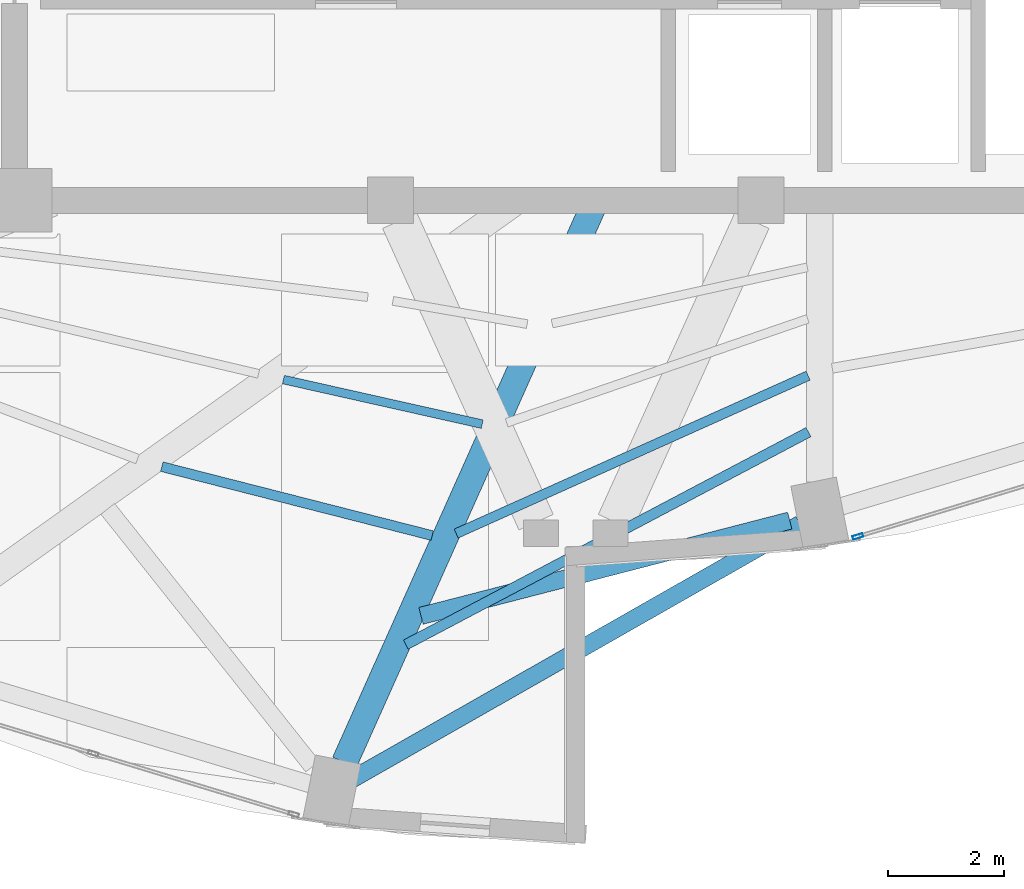
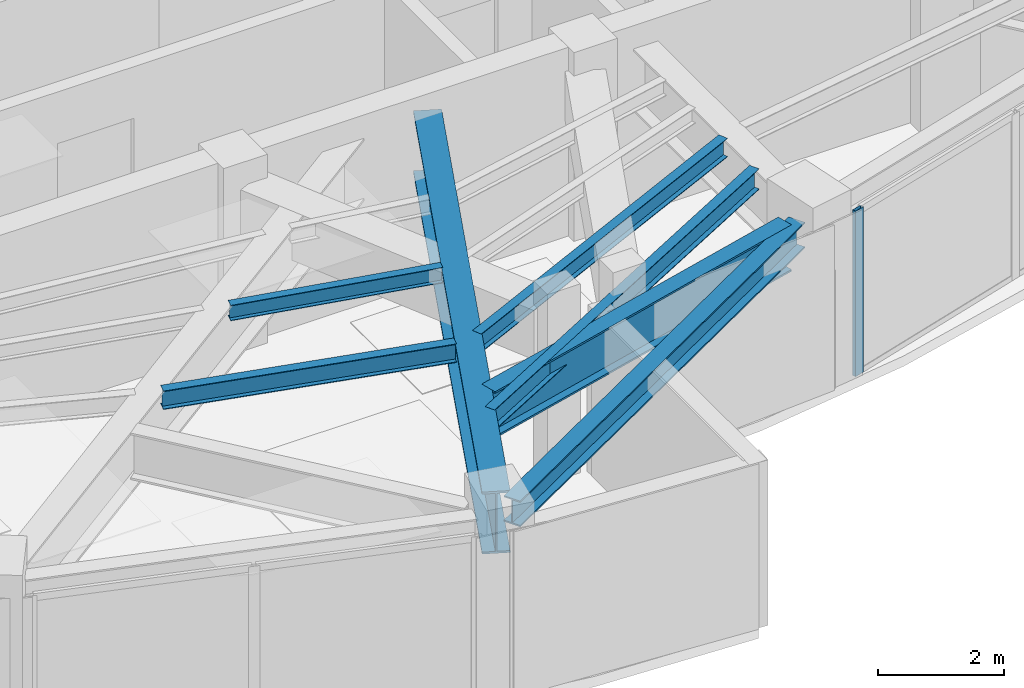
# One storey, part 6 of 23: 7 beams, 1 member, 1 element without a shape of its own.
"""IFC4 building model written with IfcOpenShell, lengths in metres."""

from ifc_helpers import new_model, si_unit, direction, frame, origin, origin_2d, place, context, subcontext, project, spatial, hollow_rectangle, i_section, extrude, material, layer, layer_set, material_profile, profile_set, type_object, element, aggregate, save


model = new_model("IFC4")

# Units and contexts
model_context = context("Model", 3, precision=1e-05, world=origin(), true_north=direction((0.0, 1.0)))
body_context = subcontext(model_context, "Body", "Model", "MODEL_VIEW")
ifc_project = project(units=[si_unit("LENGTHUNIT", "METRE"), si_unit("AREAUNIT", "SQUARE_METRE"), si_unit("VOLUMEUNIT", "CUBIC_METRE"), si_unit("PLANEANGLEUNIT", "RADIAN"), si_unit("MASSUNIT", "GRAM", prefix="KILO")], contexts=[model_context])

# Site, building, storey
site_placement = place(None, origin())
site = spatial("IfcSite", under=ifc_project, at=site_placement, CompositionType="ELEMENT")
building_placement = place(site_placement, origin())
building = spatial("IfcBuilding", under=site, at=building_placement, Name="Lazwardi Medical Tower", CompositionType="ELEMENT")
storey_placement = place(building_placement, frame((0.0, 0.0, 265.968017578125)))
storey = spatial("IfcBuildingStorey", under=building, at=storey_placement, Name="L69", CompositionType="ELEMENT", Elevation=265.968017578125)

# Beams
ifc_material_1 = material(Name="Steel S460", Category="steel")
ifc_material_profile_1 = material_profile(ifc_material_1, i_section(OverallWidth=0.300048828125, OverallDepth=0.89990234375, WebThickness=0.0185546875, FlangeThickness=0.034912109375, at=origin_2d()), Name="HEB 900")
ifc_profile_set_1 = profile_set([ifc_material_profile_1], Name="Steel S460")
beam_type_1 = type_object("IfcBeamType", Name="BM-HB-01", PredefinedType="BEAM", material=ifc_profile_set_1)
beam_1_placement = place(storey_placement, frame((33.32568359375, 13.22216796875, 2.748046875), z_axis=(0.968211548908, 0.250132757873, 0.0), x_axis=(-0.250132757873, 0.968211548908, 0.0)))
element("IfcBeam", 1, at=beam_1_placement, inside=storey, type_object=beam_type_1, Name="Transfer girder tie HB-01 M16 L69", PredefinedType="BEAM", context=body_context, shape_type="SweptSolid", body=[
    extrude(i_section(OverallWidth=0.300048828125, OverallDepth=0.89990234375, WebThickness=0.0185546875, FlangeThickness=0.034912109375, at=origin_2d()), origin(), (0.0, 0.0, 1.0), 6.57958984375),
])
ifc_material_2 = material(Name="Steel S355", Category="steel")
ifc_material_profile_2 = material_profile(ifc_material_2, i_section(OverallWidth=0.300048828125, OverallDepth=0.5, WebThickness=0.014404296875, FlangeThickness=0.028076171875, at=origin_2d()), Name="HEB 500")
ifc_profile_set_2 = profile_set([ifc_material_profile_2], Name="Steel S355")
beam_type_2 = type_object("IfcBeamType", Name="BM-RB-Z4", PredefinedType="BEAM", material=ifc_profile_set_2)
beam_2_placement = place(storey_placement, frame((32.125, 10.394775390625, 2.947998046875), z_axis=(0.868954808466, 0.494891443494, 0.0), x_axis=(-0.494891443494, 0.868954808466, 0.0)))
element("IfcBeam", 2, at=beam_2_placement, inside=storey, type_object=beam_type_2, Name="Ring beam RB-05 B16 L69", PredefinedType="BEAM", context=body_context, shape_type="SweptSolid", body=[
    extrude(i_section(OverallWidth=0.300048828125, OverallDepth=0.5, WebThickness=0.014404296875, FlangeThickness=0.028076171875, at=origin_2d()), origin(), (0.0, 0.0, 1.0), 8.918701171875),
])
ifc_material_profile_3 = material_profile(ifc_material_2, i_section(OverallWidth=0.179931640625, OverallDepth=0.39990234375, WebThickness=0.008544921875, FlangeThickness=0.013427734375, at=origin_2d()), Name="IPE 400")
ifc_profile_set_3 = profile_set([ifc_material_profile_3], Name="Steel S355")
beam_type_3 = type_object("IfcBeamType", Name="BM-SJ-01", PredefinedType="JOIST", material=ifc_profile_set_3)
beam_3_placement = place(storey_placement, frame((33.0634765625, 12.724853515625, 2.998046875), z_axis=(0.884345243209, 0.46683347225, 0.0), x_axis=(-0.46683347225, 0.884345243209, 0.0)))
element("IfcBeam", 3, at=beam_3_placement, inside=storey, type_object=beam_type_3, Name="Secondary joist SJ-01 R1 B16 L69", PredefinedType="JOIST", context=body_context, shape_type="SweptSolid", body=[
    extrude(i_section(OverallWidth=0.179931640625, OverallDepth=0.39990234375, WebThickness=0.008544921875, FlangeThickness=0.013427734375, at=origin_2d()), origin(), (0.0, 0.0, 1.0), 7.865478515625),
])
ifc_material_profile_4 = material_profile(ifc_material_2, i_section(OverallWidth=0.169921875, OverallDepth=0.360107421875, WebThickness=0.008056640625, FlangeThickness=0.0126953125, at=origin_2d()), Name="IPE 360")
ifc_profile_set_4 = profile_set([ifc_material_profile_4], Name="Steel S355")
beam_type_4 = type_object("IfcBeamType", Name="BM-SJ-02", PredefinedType="JOIST", material=ifc_profile_set_4)
beam_4_placement = place(storey_placement, frame((28.847412109375, 15.7998046875, 3.01806640625), z_axis=(0.968997187322, -0.247071752659, 0.0), x_axis=(0.247071752659, 0.968997187322, 0.0)))
element("IfcBeam", 4, at=beam_4_placement, inside=storey, type_object=beam_type_4, Name="Secondary joist SJ-02 R2 B15 L69", PredefinedType="JOIST", context=body_context, shape_type="SweptSolid", body=[
    extrude(i_section(OverallWidth=0.169921875, OverallDepth=0.360107421875, WebThickness=0.008056640625, FlangeThickness=0.0126953125, at=origin_2d()), origin(), (0.0, 0.0, 1.0), 4.822021484375),
])
beam_5_placement = place(storey_placement, frame((33.933837890625, 14.64404296875, 3.01806640625), z_axis=(0.912352216666, 0.409406195294, 0.0), x_axis=(-0.409406195294, 0.912352216666, 0.0)))
element("IfcBeam", 5, at=beam_5_placement, inside=storey, type_object=beam_type_4, Name="Secondary joist SJ-02 R2 B16 L69", PredefinedType="JOIST", context=body_context, shape_type="SweptSolid", body=[
    extrude(i_section(OverallWidth=0.169921875, OverallDepth=0.360107421875, WebThickness=0.008056640625, FlangeThickness=0.0126953125, at=origin_2d()), origin(), (0.0, 0.0, 1.0), 6.663330078125),
])
ifc_material_profile_5 = material_profile(ifc_material_2, i_section(OverallWidth=0.14990234375, OverallDepth=0.300048828125, WebThickness=0.007080078125, FlangeThickness=0.0107421875, at=origin_2d()), Name="IPE 300")
ifc_profile_set_5 = profile_set([ifc_material_profile_5], Name="Steel S355")
beam_type_5 = type_object("IfcBeamType", Name="BM-SJ-03", PredefinedType="JOIST", material=ifc_profile_set_5)
beam_6_placement = place(storey_placement, frame((30.9482421875, 17.304443359375, 3.048095703125), z_axis=(0.975762516432, -0.218832153778, 0.0), x_axis=(0.218832153778, 0.975762516432, 0.0)))
element("IfcBeam", 6, at=beam_6_placement, inside=storey, type_object=beam_type_5, Name="Secondary joist SJ-03 R3 B15 L69", PredefinedType="JOIST", context=body_context, shape_type="SweptSolid", body=[
    extrude(i_section(OverallWidth=0.14990234375, OverallDepth=0.300048828125, WebThickness=0.007080078125, FlangeThickness=0.0107421875, at=origin_2d()), origin(), (0.0, 0.0, 1.0), 3.519775390625),
])
ifc_material_profile_6 = material_profile(ifc_material_1, i_section(OverallWidth=0.449951171875, OverallDepth=1.199951171875, WebThickness=0.02490234375, FlangeThickness=0.0400390625, at=origin_2d()), Name="PG 1200x450")
ifc_profile_set_6 = profile_set([ifc_material_profile_6], Name="Steel S460")
beam_type_6 = type_object("IfcBeamType", Name="BM-TG-02", PredefinedType="BEAM", material=ifc_profile_set_6)
beam_7_placement = place(storey_placement, frame((32.00439453125, 10.690185546875, 2.597900390625), z_axis=(0.408403999014, 0.912801278258, 0.0), x_axis=(-0.912801278258, 0.408403999014, 0.0)))
element("IfcBeam", 7, at=beam_7_placement, inside=storey, type_object=beam_type_6, Name="Transfer girder TG-02 M16 L69", PredefinedType="BEAM", context=body_context, shape_type="SweptSolid", body=[
    extrude(i_section(OverallWidth=0.449951171875, OverallDepth=1.199951171875, WebThickness=0.02490234375, FlangeThickness=0.0400390625, at=origin_2d()), origin(), (0.0, 0.0, 1.0), 10.582763671875),
])

# Curtain wall, member
ifc_material_3 = material(Name="Anodised bronze aluminium and solar control glazing", Category="aluminium")
ifc_layer = layer(ifc_material_3, 0.18994140625)
ifc_layer_set = layer_set([ifc_layer], Name="Anodised bronze aluminium and solar control glazing")
curtain_wall_type = type_object("IfcCurtainWallType", Name="CW-SYS-04", PredefinedType="NOTDEFINED", material=ifc_layer_set)
curtain_wall_placement = place(storey_placement, origin())
curtain_wall = element("IfcCurtainWall", 8, at=curtain_wall_placement, inside=storey, type_object=curtain_wall_type, Name="L69 Unitised bronze curtain wall CW-04", PredefinedType="NOTDEFINED")
ifc_material_4 = material(Name="Anodised bronze aluminium", Category="aluminium")
ifc_material_profile_7 = material_profile(ifc_material_4, hollow_rectangle(XDim=0.06494140625, YDim=0.179931640625, WallThickness=0.00390625, at=origin_2d()), Name="ALU-MULLION 180x65x4")
ifc_profile_set_7 = profile_set([ifc_material_profile_7], Name="Anodised bronze aluminium")
member_type = type_object("IfcMemberType", Name="CW-MUL-03", PredefinedType="MULLION", material=ifc_profile_set_7)
member_placement = place(storey_placement, frame((40.873046875, 14.593017578125, 0.0), z_axis=(0.0, 0.0, 1.0), x_axis=(-0.290581889515, 0.956850126972, 0.0)))
member = element("IfcMember", 9, at=member_placement, type_object=member_type, Name="CW-04 mullion 1", PredefinedType="MULLION", context=body_context, shape_type="SweptSolid", body=[
    extrude(hollow_rectangle(XDim=0.06494140625, YDim=0.179931640625, WallThickness=0.00390625, at=origin_2d()), origin(), (0.0, 0.0, 1.0), 3.197998046875),
])
aggregate(curtain_wall, [member])

save(model, "model.ifc")
